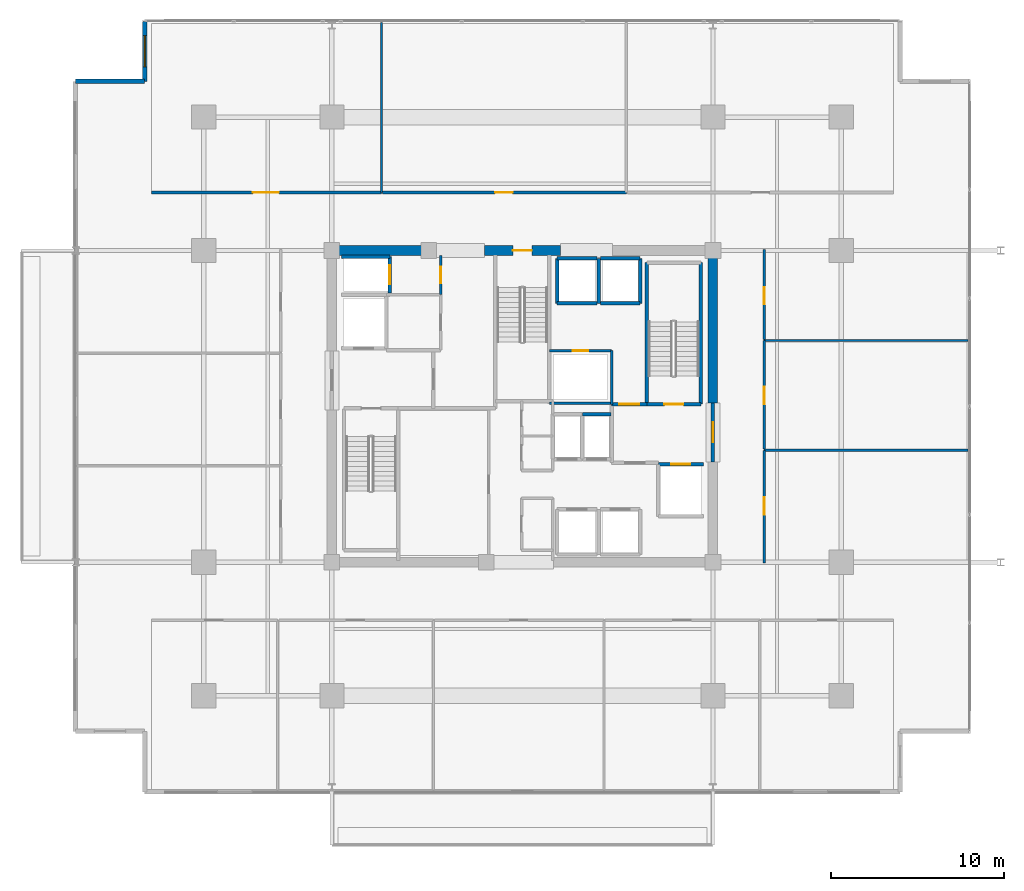
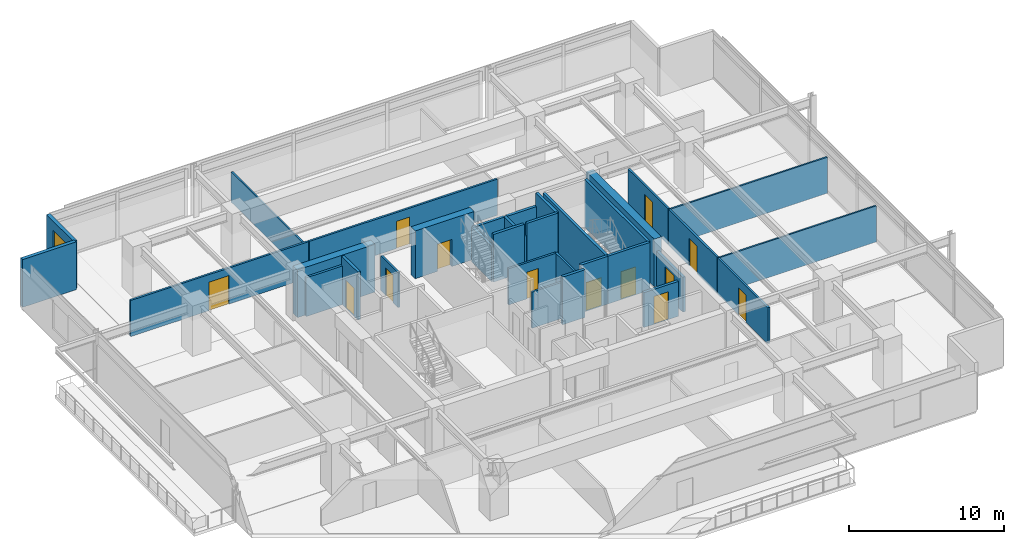
# One storey, part 16 of 22: 33 walls, 13 doors, 1 window, 14 openings.
"""IFC4 building model written with IfcOpenShell, lengths in metres."""

import ifcopenshell
import ifcopenshell.guid

model = None  # the IFC model being written
_history = None  # IfcOwnerHistory: only IFC2X3 demands one
_inside = {}  # id of a spatial element -> (the spatial element, [elements in it])
_under = {}  # id of a project, library or spatial element -> (it, [spatial elements below it])
_declared = {}  # id of a project -> (the project, [libraries it declares])
_typed = {}  # id of a type object -> (the type object, [elements of that type])
_made_of = {}  # id of a material, layer set ... -> (it, [elements and type objects made of it])


def new_model(schema):
    """Start an empty IFC model of exactly this schema.

    Asked for "IFC4X3", IfcOpenShell would pick the latest addendum, in which some entities
    have other attributes; the version numbers below select the first issue.
    IFC2X3 requires an IfcOwnerHistory on every rooted entity: one is made here for all.
    """
    global model, _history
    if schema == "IFC4X3":
        model = ifcopenshell.file(schema_version=(4, 3, 0, 0))
    else:
        model = ifcopenshell.file(schema=schema)
    _inside.clear()
    _under.clear()
    _declared.clear()
    _typed.clear()
    _made_of.clear()
    _history = None
    if model.schema == "IFC2X3":
        org = make("IfcOrganization", Name="unknown")
        user = make(
            "IfcPersonAndOrganization",
            ThePerson=make("IfcPerson", FamilyName="unknown"),
            TheOrganization=org,
        )
        app = make(
            "IfcApplication",
            ApplicationDeveloper=org,
            Version="unknown",
            ApplicationFullName="unknown",
            ApplicationIdentifier="unknown",
        )
        _history = make(
            "IfcOwnerHistory",
            OwningUser=user,
            OwningApplication=app,
            ChangeAction="ADDED",
            CreationDate=0,
        )
    return model


def make(cls, **values):
    """One entity of the class cls with the attributes given. An attribute that is None is left unset."""
    return model.create_entity(
        cls, **{name: value for name, value in values.items() if value is not None}
    )


def rooted(cls, **values):
    """An entity with a GlobalId (a new one), such as an element, a storey or a relation."""
    return make(cls, GlobalId=ifcopenshell.guid.new(), OwnerHistory=_history, **values)


def si_unit(unit_type, name, prefix=None):
    """IfcSIUnit, for example si_unit("LENGTHUNIT", "METRE", prefix="MILLI")."""
    return make("IfcSIUnit", UnitType=unit_type, Prefix=prefix, Name=name)


def assignment(units):
    """IfcUnitAssignment: the units of a project."""
    return None if units is None else make("IfcUnitAssignment", Units=units)


def point(xyz):
    """IfcCartesianPoint."""
    return None if xyz is None else make("IfcCartesianPoint", Coordinates=xyz)


def direction(xyz):
    """IfcDirection."""
    return None if xyz is None else make("IfcDirection", DirectionRatios=xyz)


def frame(location, z_axis=None, x_axis=None):
    """IfcAxis2Placement3D, a coordinate frame: its origin and axes. An axis left out is left unset."""
    return make(
        "IfcAxis2Placement3D",
        Location=point(location),
        Axis=direction(z_axis),
        RefDirection=direction(x_axis),
    )


def frame_2d(location, x_axis=None):
    """IfcAxis2Placement2D, a coordinate frame in the plane: its origin and x axis."""
    return make(
        "IfcAxis2Placement2D", Location=point(location), RefDirection=direction(x_axis)
    )


def origin():
    """The frame at (0, 0, 0) with its axes left unset."""
    return frame((0.0, 0.0, 0.0))


def place(relative_to, where):
    """IfcLocalPlacement: puts the frame where relative to a parent placement (None: the world)."""
    return make(
        "IfcLocalPlacement", PlacementRelTo=relative_to, RelativePlacement=where
    )


def context(
    kind, dimensions, precision=None, world=None, true_north=None, identifier=None
):
    """IfcGeometricRepresentationContext, for example the 3D "Model" context."""
    return make(
        "IfcGeometricRepresentationContext",
        ContextIdentifier=identifier,
        ContextType=kind,
        CoordinateSpaceDimension=dimensions,
        Precision=precision,
        WorldCoordinateSystem=world,
        TrueNorth=true_north,
    )


def subcontext(parent, identifier, kind, view, scale=None):
    """IfcGeometricRepresentationSubContext, for example "Body" below "Model"."""
    return make(
        "IfcGeometricRepresentationSubContext",
        ContextIdentifier=identifier,
        ContextType=kind,
        ParentContext=parent,
        TargetScale=scale,
        TargetView=view,
    )


def project(units=None, contexts=None):
    """IfcProject with its units and contexts."""
    return rooted(
        "IfcProject",
        Name="project",
        RepresentationContexts=contexts,
        UnitsInContext=assignment(units),
    )


def spatial(cls, under=None, at=None, **own):
    """A site, building, storey or space (cls), placed at a placement, below another one or the project."""
    s = rooted(cls, ObjectPlacement=at, **own)
    if under is not None:
        _under.setdefault(under.id(), (under, []))[1].append(s)
    return s


def profile(cls, at=None, kind="AREA", **sizes):
    """A parametric profile (cls). Its sizes go by their IFC names, for example OverallWidth=200.0."""
    return make(cls, ProfileType=kind, Position=at, **sizes)


def rectangle(**sizes):
    """IfcRectangleProfileDef."""
    return profile("IfcRectangleProfileDef", **sizes)


def extrude(swept, where, along, depth):
    """IfcExtrudedAreaSolid: the profile swept, set in the frame where, extruded along a direction by depth."""
    return make(
        "IfcExtrudedAreaSolid",
        SweptArea=swept,
        Position=where,
        ExtrudedDirection=direction(along),
        Depth=depth,
    )


def shape(context_of_items, identifier, shape_type, items):
    """IfcShapeRepresentation: the items that make up one representation, for example the "Body"."""
    return make(
        "IfcShapeRepresentation",
        ContextOfItems=context_of_items,
        RepresentationIdentifier=identifier,
        RepresentationType=shape_type,
        Items=items,
    )


def material(Name=None, Category=None):
    """IfcMaterial."""
    return make("IfcMaterial", Name=Name, Category=Category)


def layer(
    of_material, thickness, ventilated=None, Name=None, Category=None, Priority=None
):
    """IfcMaterialLayer: one layer of a wall or slab, of a material (None: an air gap)."""
    return make(
        "IfcMaterialLayer",
        Material=of_material,
        LayerThickness=thickness,
        IsVentilated=ventilated,
        Name=Name,
        Category=Category,
        Priority=Priority,
    )


def layer_set(layers, Name=None):
    """IfcMaterialLayerSet."""
    return make("IfcMaterialLayerSet", MaterialLayers=layers, LayerSetName=Name)


def made_of(thing, what):
    """Note that an element or type object is made of a material, layer set ...; save() writes the relation."""
    if what is not None:
        _made_of.setdefault(what.id(), (what, []))[1].append(thing)
    return thing


def type_object(cls, material=None, **own):
    """A type object (cls), such as IfcWallType, which elements share."""
    return made_of(rooted(cls, **own), material)


def element(
    cls,
    number,
    at=None,
    inside=None,
    cuts=None,
    type_object=None,
    material=None,
    context=None,
    identifier="Body",
    shape_type=None,
    held_by="IfcProductDefinitionShape",
    body=None,
    shapes=None,
    **own,
):
    """One element of the class cls, such as IfcWall. Its Tag is "e" and its number.

    at: its placement. inside: the storey or other place that contains it. cuts: it is an
    opening in that element (IfcRelVoidsElement). A single representation is given by context,
    identifier, shape_type and body (its items); several are given by shapes. held_by: the class
    of the entity that holds the representations. save() writes the other relations.
    """
    e = rooted(cls, Tag="e%d" % number, ObjectPlacement=at, **own)
    if body is not None:
        shapes = [shape(context, identifier, shape_type, body)]
    if shapes is not None:
        e.Representation = make(held_by, Representations=shapes)
    if inside is not None:
        _inside.setdefault(inside.id(), (inside, []))[1].append(e)
    if cuts is not None:
        rooted(
            "IfcRelVoidsElement", RelatingBuildingElement=cuts, RelatedOpeningElement=e
        )
    if type_object is not None:
        _typed.setdefault(type_object.id(), (type_object, []))[1].append(e)
    return made_of(e, material)


def fill(opening, filler):
    """IfcRelFillsElement: the door or window that sits in an opening."""
    return rooted(
        "IfcRelFillsElement",
        RelatingOpeningElement=opening,
        RelatedBuildingElement=filler,
    )


def aggregate(whole, parts):
    """IfcRelAggregates: a whole, such as a stair, and the parts it consists of."""
    return rooted("IfcRelAggregates", RelatingObject=whole, RelatedObjects=parts)


def save(model, path):
    """Write the relations noted so far, then the file.

    IfcRelAggregates (storeys below a building ...), IfcRelContainedInSpatialStructure (elements
    in a storey), IfcRelDefinesByType, IfcRelAssociatesMaterial and IfcRelDeclares: one each for
    every whole, place, type object, material and project.
    """
    for whole, parts in _under.values():
        aggregate(whole, parts)
    for where, things in _inside.values():
        rooted(
            "IfcRelContainedInSpatialStructure",
            RelatedElements=things,
            RelatingStructure=where,
        )
    for kind, things in _typed.values():
        rooted("IfcRelDefinesByType", RelatedObjects=things, RelatingType=kind)
    for what, things in _made_of.values():
        rooted("IfcRelAssociatesMaterial", RelatedObjects=things, RelatingMaterial=what)
    for by, libraries in _declared.values():
        rooted("IfcRelDeclares", RelatingContext=by, RelatedDefinitions=libraries)
    model.write(path)


model = new_model("IFC4")

# Units and contexts
model_context = context("Model", 3, precision=1e-05, world=origin(), true_north=direction((0.0, 1.0)))
body_context = subcontext(model_context, "Body", "Model", "MODEL_VIEW")
ifc_project = project(units=[si_unit("LENGTHUNIT", "METRE"), si_unit("AREAUNIT", "SQUARE_METRE"), si_unit("VOLUMEUNIT", "CUBIC_METRE"), si_unit("PLANEANGLEUNIT", "RADIAN"), si_unit("MASSUNIT", "GRAM", prefix="KILO")], contexts=[model_context])

# Site, building, storey
site_placement = place(None, origin())
site = spatial("IfcSite", under=ifc_project, at=site_placement, CompositionType="ELEMENT")
building_placement = place(site_placement, origin())
building = spatial("IfcBuilding", under=site, at=building_placement, Name="Kovane Verandah Tower", CompositionType="ELEMENT")
storey_placement = place(building_placement, frame((0.0, 0.0, 225.199951171875)))
storey = spatial("IfcBuildingStorey", under=building, at=storey_placement, Name="L52", CompositionType="ELEMENT", Elevation=225.199951171875)

# Wall, opening, door
ifc_material_1 = material(Name="Fire-Rated Gypsum Stud Partition", Category="gypsum")
ifc_layer_1 = layer(ifc_material_1, 0.14990234375)
ifc_layer_set_1 = layer_set([ifc_layer_1], Name="Fire-Rated Gypsum Stud Partition")
wall_type_1 = type_object("IfcWallType", Name="WL-COR-150", PredefinedType="PARTITIONING", material=ifc_layer_set_1)
wall_1_placement = place(storey_placement, frame((35.280029296875, 33.949951171875, 0.0), z_axis=(0.0, 0.0, 1.0), x_axis=(0.0, 1.0, 0.0)))
wall_1 = element("IfcWall", 1, at=wall_1_placement, inside=storey, type_object=wall_type_1, Name="L52 Goods Lift Lobby East Fire Partition", PredefinedType="PARTITIONING", context=body_context, shape_type="SweptSolid", body=[
    extrude(rectangle(XDim=2.27001953125, YDim=0.14990234375, at=frame_2d((1.135009765625, 0.0))), origin(), (0.0, 0.0, 1.0), 2.755126953125),
])
opening_1_placement = place(wall_1_placement, frame((0.659912109375, 0.0, 0.0)))
opening_1 = element("IfcOpeningElement", 2, at=opening_1_placement, cuts=wall_1, Name="Opening DR-L52-008", PredefinedType="OPENING", context=body_context, shape_type="SweptSolid", body=[
    extrude(rectangle(XDim=0.949951171875, YDim=2.14990234375, at=frame_2d((0.47509765625, 1.074951171875))), frame((0.0, 0.074951171875, 0.0), z_axis=(0.0, -1.0, 0.0), x_axis=(1.0, 0.0, 0.0)), (0.0, 0.0, 1.0), 0.14990234375),
])
ifc_material_2 = material(Name="Fire-Rated Steel Refuge and Lobby Door", Category="steel")
door_type_1 = type_object("IfcDoorType", Name="DR-FIRE-950", OperationType="SINGLE_SWING_LEFT", PredefinedType="DOOR", material=ifc_material_2)
door_1_placement = place(opening_1_placement, origin())
door_1 = element("IfcDoor", 3, at=door_1_placement, inside=storey, type_object=door_type_1, Name="L52 Goods Lift Lobby Fire Door", OperationType="SINGLE_SWING_LEFT", OverallHeight=2.14990234375, OverallWidth=0.949951171875, PredefinedType="DOOR", context=body_context, shape_type="SweptSolid", body=[
    extrude(rectangle(XDim=0.949951171875, YDim=2.14990234375, at=frame_2d((0.47509765625, 1.074951171875))), frame((0.0, 0.02490234375, 0.0), z_axis=(0.0, -1.0, 0.0), x_axis=(1.0, 0.0, 0.0)), (0.0, 0.0, 1.0), 0.050048828125),
])
fill(opening_1, door_1)

# Walls
wall_2_placement = place(storey_placement, frame((41.56005859375, 27.679931640625, 0.0), z_axis=(0.0, 0.0, 1.0), x_axis=(1.0, 0.0, 0.0)))
element("IfcWall", 4, at=wall_2_placement, inside=storey, type_object=wall_type_1, Name="L52 East Core Service Riser South Wall", PredefinedType="PARTITIONING", context=body_context, shape_type="SweptSolid", body=[
    extrude(rectangle(XDim=3.58984375, YDim=0.14990234375, at=frame_2d((1.794921875, 0.0))), origin(), (0.0, 0.0, 1.0), 2.85009765625),
])
wall_3_placement = place(storey_placement, frame((45.14990234375, 27.6201171875, 0.0), z_axis=(0.0, 0.0, 1.0), x_axis=(0.0, 1.0, 0.0)))
element("IfcWall", 5, at=wall_3_placement, inside=storey, type_object=wall_type_1, Name="L52 East Core Service Riser East Wall", PredefinedType="PARTITIONING", context=body_context, shape_type="SweptSolid", body=[
    extrude(rectangle(XDim=3.099853515625, YDim=0.14990234375, at=frame_2d((1.5498046875, 0.0))), origin(), (0.0, 0.0, 1.0), 2.85009765625),
])

# Wall, opening, door
wall_4_placement = place(storey_placement, frame((41.56005859375, 30.719970703125, 0.0), z_axis=(0.0, 0.0, 1.0), x_axis=(1.0, 0.0, 0.0)))
wall_4 = element("IfcWall", 6, at=wall_4_placement, inside=storey, type_object=wall_type_1, Name="L52 Combined Chilled Water and Smoke Duct Room Partition", PredefinedType="PARTITIONING", context=body_context, shape_type="SweptSolid", body=[
    extrude(rectangle(XDim=3.58984375, YDim=0.14990234375, at=frame_2d((1.794921875, 0.0))), origin(), (0.0, 0.0, 1.0), 2.85009765625),
])
opening_2_placement = place(wall_4_placement, frame((1.35498046875, 0.0, 0.0)))
opening_2 = element("IfcOpeningElement", 7, at=opening_2_placement, cuts=wall_4, Name="Opening DR-L52-016", PredefinedType="OPENING", context=body_context, shape_type="SweptSolid", body=[
    extrude(rectangle(XDim=0.8798828125, YDim=2.10009765625, at=frame_2d((0.43994140625, 1.050048828125))), frame((0.0, 0.074951171875, 0.0), z_axis=(0.0, -1.0, 0.0), x_axis=(1.0, 0.0, 0.0)), (0.0, 0.0, 1.0), 0.14990234375),
])
ifc_material_3 = material(Name="Fire-Rated Steel Riser Access Door", Category="steel")
door_type_2 = type_object("IfcDoorType", Name="DR-RISER-880", OperationType="SINGLE_SWING_LEFT", PredefinedType="DOOR", material=ifc_material_3)
door_2_placement = place(opening_2_placement, origin())
door_2 = element("IfcDoor", 8, at=door_2_placement, inside=storey, type_object=door_type_2, Name="L52 Combined Chilled Water and Smoke Duct Room Door", OperationType="SINGLE_SWING_RIGHT", OverallHeight=2.10009765625, OverallWidth=0.8798828125, PredefinedType="DOOR", context=body_context, shape_type="SweptSolid", body=[
    extrude(rectangle(XDim=0.8798828125, YDim=2.10009765625, at=frame_2d((0.43994140625, 1.050048828125))), frame((0.0, 0.02490234375, 0.0), z_axis=(0.0, -1.0, 0.0), x_axis=(1.0, 0.0, 0.0)), (0.0, 0.0, 1.0), 0.050048828125),
])
fill(opening_2, door_2)

wall_5_placement = place(storey_placement, frame((18.59033203125, 39.85009765625, 0.0), z_axis=(0.0, 0.0, 1.0), x_axis=(1.0, 0.0, 0.0)))
wall_5 = element("IfcWall", 9, at=wall_5_placement, inside=storey, type_object=wall_type_1, Name="L52 Client Boardroom N1 Corridor Partition", PredefinedType="PARTITIONING", context=body_context, shape_type="SweptSolid", body=[
    extrude(rectangle(XDim=13.27392578125, YDim=0.14990234375, at=frame_2d((6.636962890625, 0.0))), origin(), (0.0, 0.0, 1.0), 2.85009765625),
])
opening_3_placement = place(wall_5_placement, frame((5.85205078125, 0.0, 0.0)))
opening_3 = element("IfcOpeningElement", 10, at=opening_3_placement, cuts=wall_5, Name="Opening DR-L52-017", PredefinedType="OPENING", context=body_context, shape_type="SweptSolid", body=[
    extrude(rectangle(XDim=1.5, YDim=2.25, at=frame_2d((0.75, 1.125))), frame((0.0, 0.074951171875, 0.0), z_axis=(0.0, -1.0, 0.0), x_axis=(1.0, 0.0, 0.0)), (0.0, 0.0, 1.0), 0.14990234375),
])
ifc_material_4 = material(Name="Glazed Timber Fire-Rated Double Door", Category="wood")
door_type_3 = type_object("IfcDoorType", Name="DR-CONF-1500", OperationType="DOUBLE_DOOR_SINGLE_SWING", PredefinedType="DOOR", material=ifc_material_4)
door_3_placement = place(opening_3_placement, origin())
door_3 = element("IfcDoor", 11, at=door_3_placement, inside=storey, type_object=door_type_3, Name="L52 Client Boardroom N1 Entrance Door", OperationType="DOUBLE_DOOR_SINGLE_SWING", OverallHeight=2.25, OverallWidth=1.5, PredefinedType="DOOR", context=body_context, shape_type="SweptSolid", body=[
    extrude(rectangle(XDim=1.5, YDim=2.25, at=frame_2d((0.75, 1.125))), frame((0.0, 0.02490234375, 0.0), z_axis=(0.0, -1.0, 0.0), x_axis=(1.0, 0.0, 0.0)), (0.0, 0.0, 1.0), 0.050048828125),
])
fill(opening_3, door_3)

wall_6_placement = place(storey_placement, frame((31.934326171875, 39.85009765625, 0.0), z_axis=(0.0, 0.0, 1.0), x_axis=(1.0, 0.0, 0.0)))
wall_6 = element("IfcWall", 12, at=wall_6_placement, inside=storey, type_object=wall_type_1, Name="L52 Meeting Room N2 Corridor Partition", PredefinedType="PARTITIONING", context=body_context, shape_type="SweptSolid", body=[
    extrude(rectangle(XDim=14.060302734375, YDim=0.14990234375, at=frame_2d((7.0302734375, 0.0))), origin(), (0.0, 0.0, 1.0), 2.85009765625),
])
opening_4_placement = place(wall_6_placement, frame((6.4951171875, 0.0, 0.0)))
opening_4 = element("IfcOpeningElement", 13, at=opening_4_placement, cuts=wall_6, Name="Opening DR-L52-018", PredefinedType="OPENING", context=body_context, shape_type="SweptSolid", body=[
    extrude(rectangle(XDim=1.0, YDim=2.14990234375, at=frame_2d((0.5, 1.074951171875))), frame((0.0, 0.074951171875, 0.0), z_axis=(0.0, -1.0, 0.0), x_axis=(1.0, 0.0, 0.0)), (0.0, 0.0, 1.0), 0.14990234375),
])
ifc_material_5 = material(Name="FSC Spotted-Gum Timber Fire-Rated Office Door", Category="wood")
door_type_4 = type_object("IfcDoorType", Name="DR-OFF-1000", OperationType="SINGLE_SWING_LEFT", PredefinedType="DOOR", material=ifc_material_5)
door_4_placement = place(opening_4_placement, origin())
door_4 = element("IfcDoor", 14, at=door_4_placement, inside=storey, type_object=door_type_4, Name="L52 Meeting Room N2 Entrance Door", OperationType="SINGLE_SWING_RIGHT", OverallHeight=2.14990234375, OverallWidth=1.0, PredefinedType="DOOR", context=body_context, shape_type="SweptSolid", body=[
    extrude(rectangle(XDim=1.0, YDim=2.14990234375, at=frame_2d((0.5, 1.074951171875))), frame((0.0, 0.02490234375, 0.0), z_axis=(0.0, -1.0, 0.0), x_axis=(1.0, 0.0, 0.0)), (0.0, 0.0, 1.0), 0.050048828125),
])
fill(opening_4, door_4)

wall_7_placement = place(storey_placement, frame((53.949951171875, 18.449951171875, 0.0), z_axis=(0.0, 0.0, 1.0), x_axis=(0.0, 1.0, 0.0)))
wall_7 = element("IfcWall", 15, at=wall_7_placement, inside=storey, type_object=wall_type_1, Name="L52 Breakout Pantry E1 Corridor Partition", PredefinedType="PARTITIONING", context=body_context, shape_type="SweptSolid", body=[
    extrude(rectangle(XDim=6.51611328125, YDim=0.14990234375, at=frame_2d((3.258056640625, 0.0))), origin(), (0.0, 0.0, 1.0), 2.85009765625),
])
opening_5_placement = place(wall_7_placement, frame((2.798095703125, 0.0, 0.0)))
opening_5 = element("IfcOpeningElement", 16, at=opening_5_placement, cuts=wall_7, Name="Opening DR-L52-012", PredefinedType="OPENING", context=body_context, shape_type="SweptSolid", body=[
    extrude(rectangle(XDim=1.0, YDim=2.14990234375, at=frame_2d((0.5, 1.074951171875))), frame((0.0, 0.074951171875, 0.0), z_axis=(0.0, -1.0, 0.0), x_axis=(1.0, 0.0, 0.0)), (0.0, 0.0, 1.0), 0.14990234375),
])
door_5_placement = place(opening_5_placement, origin())
door_5 = element("IfcDoor", 17, at=door_5_placement, inside=storey, type_object=door_type_4, Name="L52 Breakout Pantry E1 Entrance Door", OperationType="SINGLE_SWING_RIGHT", OverallHeight=2.14990234375, OverallWidth=1.0, PredefinedType="DOOR", context=body_context, shape_type="SweptSolid", body=[
    extrude(rectangle(XDim=1.0, YDim=2.14990234375, at=frame_2d((0.5, 1.074951171875))), frame((0.0, 0.02490234375, 0.0), z_axis=(0.0, -1.0, 0.0), x_axis=(1.0, 0.0, 0.0)), (0.0, 0.0, 1.0), 0.050048828125),
])
fill(opening_5, door_5)

wall_8_placement = place(storey_placement, frame((53.949951171875, 25.035888671875, 0.0), z_axis=(0.0, 0.0, 1.0), x_axis=(0.0, 1.0, 0.0)))
wall_8 = element("IfcWall", 18, at=wall_8_placement, inside=storey, type_object=wall_type_1, Name="L52 Collaboration Hub E2 Corridor Partition", PredefinedType="PARTITIONING", context=body_context, shape_type="SweptSolid", body=[
    extrude(rectangle(XDim=6.26513671875, YDim=0.14990234375, at=frame_2d((3.132568359375, 0.0))), origin(), (0.0, 0.0, 1.0), 2.85009765625),
])
opening_6_placement = place(wall_8_placement, frame((2.597412109375, 0.0, 0.0)))
opening_6 = element("IfcOpeningElement", 19, at=opening_6_placement, cuts=wall_8, Name="Opening DR-L52-013", PredefinedType="OPENING", context=body_context, shape_type="SweptSolid", body=[
    extrude(rectangle(XDim=1.0, YDim=2.14990234375, at=frame_2d((0.5, 1.074951171875))), frame((0.0, 0.074951171875, 0.0), z_axis=(0.0, -1.0, 0.0), x_axis=(1.0, 0.0, 0.0)), (0.0, 0.0, 1.0), 0.14990234375),
])
door_6_placement = place(opening_6_placement, origin())
door_6 = element("IfcDoor", 20, at=door_6_placement, inside=storey, type_object=door_type_4, Name="L52 Collaboration Hub E2 Entrance Door", OperationType="SINGLE_SWING_LEFT", OverallHeight=2.14990234375, OverallWidth=1.0, PredefinedType="DOOR", context=body_context, shape_type="SweptSolid", body=[
    extrude(rectangle(XDim=1.0, YDim=2.14990234375, at=frame_2d((0.5, 1.074951171875))), frame((0.0, 0.02490234375, 0.0), z_axis=(0.0, -1.0, 0.0), x_axis=(1.0, 0.0, 0.0)), (0.0, 0.0, 1.0), 0.050048828125),
])
fill(opening_6, door_6)

wall_9_placement = place(storey_placement, frame((53.949951171875, 31.37109375, 0.0), z_axis=(0.0, 0.0, 1.0), x_axis=(0.0, 1.0, 0.0)))
wall_9 = element("IfcWall", 21, at=wall_9_placement, inside=storey, type_object=wall_type_1, Name="L52 Document and Print Room E3 Corridor Partition", PredefinedType="PARTITIONING", context=body_context, shape_type="SweptSolid", body=[
    extrude(rectangle(XDim=5.178955078125, YDim=0.14990234375, at=frame_2d((2.58935546875, 0.0))), origin(), (0.0, 0.0, 1.0), 2.85009765625),
])
opening_7_placement = place(wall_9_placement, frame((2.014404296875, 0.0, 0.0)))
opening_7 = element("IfcOpeningElement", 22, at=opening_7_placement, cuts=wall_9, Name="Opening DR-L52-014", PredefinedType="OPENING", context=body_context, shape_type="SweptSolid", body=[
    extrude(rectangle(XDim=1.0, YDim=2.14990234375, at=frame_2d((0.5, 1.074951171875))), frame((0.0, 0.074951171875, 0.0), z_axis=(0.0, -1.0, 0.0), x_axis=(1.0, 0.0, 0.0)), (0.0, 0.0, 1.0), 0.14990234375),
])
door_7_placement = place(opening_7_placement, origin())
door_7 = element("IfcDoor", 23, at=door_7_placement, inside=storey, type_object=door_type_4, Name="L52 Document and Print Room E3 Entrance Door", OperationType="SINGLE_SWING_RIGHT", OverallHeight=2.14990234375, OverallWidth=1.0, PredefinedType="DOOR", context=body_context, shape_type="SweptSolid", body=[
    extrude(rectangle(XDim=1.0, YDim=2.14990234375, at=frame_2d((0.5, 1.074951171875))), frame((0.0, 0.02490234375, 0.0), z_axis=(0.0, -1.0, 0.0), x_axis=(1.0, 0.0, 0.0)), (0.0, 0.0, 1.0), 0.050048828125),
])
fill(opening_7, door_7)

# Wall
ifc_material_6 = material(Name="Concrete C60/75", Category="concrete")
ifc_layer_2 = layer(ifc_material_6, 0.550048828125)
ifc_layer_set_2 = layer_set([ifc_layer_2], Name="Concrete C60/75")
wall_type_2 = type_object("IfcWallType", Name="WL-CORE-550", PredefinedType="SHEAR", material=ifc_layer_set_2)
wall_10_placement = place(storey_placement, frame((29.0, 36.5, 0.0), z_axis=(0.0, 0.0, 1.0), x_axis=(1.0, 0.0, 0.0)))
element("IfcWall", 24, at=wall_10_placement, inside=storey, type_object=wall_type_2, Name="L52 Core Shear Wall CN-1", PredefinedType="SHEAR", context=body_context, shape_type="SweptSolid", body=[
    extrude(rectangle(XDim=5.800048828125, YDim=0.550048828125, at=frame_2d((2.89990234375, 0.0))), origin(), (0.0, 0.0, 1.0), 3.775146484375),
])

# Wall, opening, door
wall_11_placement = place(storey_placement, frame((37.800048828125, 36.5, 0.0), z_axis=(0.0, 0.0, 1.0), x_axis=(1.0, 0.0, 0.0)))
wall_11 = element("IfcWall", 25, at=wall_11_placement, inside=storey, type_object=wall_type_2, Name="L52 Core Shear Wall CN-2", PredefinedType="SHEAR", context=body_context, shape_type="SweptSolid", body=[
    extrude(rectangle(XDim=4.39990234375, YDim=0.550048828125, at=frame_2d((2.199951171875, 0.0))), origin(), (0.0, 0.0, 1.0), 3.775146484375),
])
opening_8_placement = place(wall_11_placement, frame((1.64990234375, 0.0, 0.0)))
opening_8 = element("IfcOpeningElement", 26, at=opening_8_placement, cuts=wall_11, Name="Opening DR-L52-011", PredefinedType="OPENING", context=body_context, shape_type="SweptSolid", body=[
    extrude(rectangle(XDim=1.10009765625, YDim=2.14990234375, at=frame_2d((0.550048828125, 1.074951171875))), frame((0.0, 0.27490234375, 0.0), z_axis=(0.0, -1.0, 0.0), x_axis=(1.0, 0.0, 0.0)), (0.0, 0.0, 1.0), 0.550048828125),
])
ifc_material_7 = material(Name="Fire-Rated Steel Exit Door", Category="steel")
door_type_5 = type_object("IfcDoorType", Name="DR-STAIR-1100", OperationType="SINGLE_SWING_LEFT", PredefinedType="DOOR", material=ifc_material_7)
door_8_placement = place(opening_8_placement, origin())
door_8 = element("IfcDoor", 27, at=door_8_placement, inside=storey, type_object=door_type_5, Name="L52 ST-03 Fire Exit Stair Door", OperationType="SINGLE_SWING_LEFT", OverallHeight=2.14990234375, OverallWidth=1.10009765625, PredefinedType="DOOR", context=body_context, shape_type="SweptSolid", body=[
    extrude(rectangle(XDim=1.10009765625, YDim=2.14990234375, at=frame_2d((0.550048828125, 1.074951171875))), frame((0.0, 0.02490234375, 0.0), z_axis=(0.0, -1.0, 0.0), x_axis=(1.0, 0.0, 0.0)), (0.0, 0.0, 1.0), 0.050048828125),
])
fill(opening_8, door_8)

# Wall
wall_12_placement = place(storey_placement, frame((51.0, 27.699951171875, 0.0), z_axis=(0.0, 0.0, 1.0), x_axis=(0.0, 1.0, 0.0)))
element("IfcWall", 28, at=wall_12_placement, inside=storey, type_object=wall_type_2, Name="L52 Core Shear Wall CE-2", PredefinedType="SHEAR", context=body_context, shape_type="SweptSolid", body=[
    extrude(rectangle(XDim=8.800048828125, YDim=0.550048828125, at=frame_2d((4.39990234375, 0.0))), origin(), (0.0, 0.0, 1.0), 3.775146484375),
])

# Wall, opening, door
ifc_material_8 = material(Name="Concrete C45/55 Fire Wall", Category="concrete")
ifc_layer_3 = layer(ifc_material_8, 0.199951171875)
ifc_layer_set_3 = layer_set([ifc_layer_3], Name="Concrete C45/55 Fire Wall")
wall_type_3 = type_object("IfcWallType", Name="WL-FFL-200", PredefinedType="PARTITIONING", material=ifc_layer_set_3)
wall_13_placement = place(storey_placement, frame((45.14990234375, 27.6201171875, 0.0), z_axis=(0.0, 0.0, 1.0), x_axis=(1.0, 0.0, 0.0)))
wall_13 = element("IfcWall", 29, at=wall_13_placement, inside=storey, type_object=wall_type_3, Name="W-L52-FFLE-N", PredefinedType="PARTITIONING", context=body_context, shape_type="SweptSolid", body=[
    extrude(rectangle(XDim=2.030029296875, YDim=0.199951171875, at=frame_2d((1.01513671875, 0.0))), origin(), (0.0, 0.0, 1.0), 3.775146484375),
])
opening_9_placement = place(wall_13_placement, frame((0.43994140625, 0.0, 0.0)))
opening_9 = element("IfcOpeningElement", 30, at=opening_9_placement, cuts=wall_13, Name="Opening DR-L52-004", PredefinedType="OPENING", context=body_context, shape_type="SweptSolid", body=[
    extrude(rectangle(XDim=1.14990234375, YDim=2.199951171875, at=frame_2d((0.574951171875, 1.10009765625))), frame((0.0, 0.10009765625, 0.0), z_axis=(0.0, -1.0, 0.0), x_axis=(1.0, 0.0, 0.0)), (0.0, 0.0, 1.0), 0.199951171875),
])
ifc_material_9 = material(Name="Smoke-Sealed Firefighting Lobby Door", Category="steel")
door_type_6 = type_object("IfcDoorType", Name="DR-FFL-1150", OperationType="SINGLE_SWING_LEFT", PredefinedType="DOOR", material=ifc_material_9)
door_9_placement = place(opening_9_placement, origin())
door_9 = element("IfcDoor", 31, at=door_9_placement, inside=storey, type_object=door_type_6, Name="L52 East Firefighting Lobby Shuttle Link Door", OperationType="SINGLE_SWING_LEFT", OverallHeight=2.199951171875, OverallWidth=1.14990234375, PredefinedType="DOOR", context=body_context, shape_type="SweptSolid", body=[
    extrude(rectangle(XDim=1.14990234375, YDim=2.199951171875, at=frame_2d((0.574951171875, 1.10009765625))), frame((0.0, 0.02490234375, 0.0), z_axis=(0.0, -1.0, 0.0), x_axis=(1.0, 0.0, 0.0)), (0.0, 0.0, 1.0), 0.050048828125),
])
fill(opening_9, door_9)

wall_14_placement = place(storey_placement, frame((51.0, 24.300048828125, 0.0), z_axis=(0.0, 0.0, 1.0), x_axis=(0.0, 1.0, 0.0)))
wall_14 = element("IfcWall", 32, at=wall_14_placement, inside=storey, type_object=wall_type_3, Name="W-L52-FFLE-OUT", PredefinedType="PARTITIONING", context=body_context, shape_type="SweptSolid", body=[
    extrude(rectangle(XDim=3.39990234375, YDim=0.199951171875, at=frame_2d((1.699951171875, 0.0))), origin(), (0.0, 0.0, 1.0), 2.755126953125),
])
opening_10_placement = place(wall_14_placement, frame((1.125, 0.0, 0.0)))
opening_10 = element("IfcOpeningElement", 33, at=opening_10_placement, cuts=wall_14, Name="Opening DR-L52-005", PredefinedType="OPENING", context=body_context, shape_type="SweptSolid", body=[
    extrude(rectangle(XDim=1.14990234375, YDim=2.199951171875, at=frame_2d((0.574951171875, 1.10009765625))), frame((0.0, 0.10009765625, 0.0), z_axis=(0.0, -1.0, 0.0), x_axis=(1.0, 0.0, 0.0)), (0.0, 0.0, 1.0), 0.199951171875),
])
door_10_placement = place(opening_10_placement, origin())
door_10 = element("IfcDoor", 34, at=door_10_placement, inside=storey, type_object=door_type_6, Name="L52 East Firefighting Lobby Corridor Door", OperationType="SINGLE_SWING_LEFT", OverallHeight=2.199951171875, OverallWidth=1.14990234375, PredefinedType="DOOR", context=body_context, shape_type="SweptSolid", body=[
    extrude(rectangle(XDim=1.14990234375, YDim=2.199951171875, at=frame_2d((0.574951171875, 1.10009765625))), frame((0.0, 0.02490234375, 0.0), z_axis=(0.0, -1.0, 0.0), x_axis=(1.0, 0.0, 0.0)), (0.0, 0.0, 1.0), 0.050048828125),
])
fill(opening_10, door_10)

ifc_material_10 = material(Name="Concrete C45/55 Lift Shaft Wall", Category="concrete")
ifc_layer_4 = layer(ifc_material_10, 0.199951171875)
ifc_layer_set_4 = layer_set([ifc_layer_4], Name="Concrete C45/55 Lift Shaft Wall")
wall_type_4 = type_object("IfcWallType", Name="WL-LIFT-200", PredefinedType="SOLIDWALL", material=ifc_layer_set_4)
wall_15_placement = place(storey_placement, frame((50.449951171875, 24.14990234375, 0.0), z_axis=(0.0, 0.0, 1.0), x_axis=(-1.0, 0.0, 0.0)))
wall_15 = element("IfcWall", 35, at=wall_15_placement, inside=storey, type_object=wall_type_4, Name="L52 Lift FL-02 N Shaft Wall", PredefinedType="SOLIDWALL", context=body_context, shape_type="SweptSolid", body=[
    extrude(rectangle(XDim=2.599853515625, YDim=0.199951171875, at=frame_2d((1.2998046875, 0.0))), origin(), (0.0, 0.0, 1.0), 2.755126953125),
])
opening_11_placement = place(wall_15_placement, frame((0.75, 0.0, 0.0)))
opening_11 = element("IfcOpeningElement", 36, at=opening_11_placement, cuts=wall_15, Name="Opening LD-L52-002", PredefinedType="OPENING", context=body_context, shape_type="SweptSolid", body=[
    extrude(rectangle(XDim=1.10009765625, YDim=2.199951171875, at=frame_2d((0.550048828125, 1.10009765625))), frame((0.0, 0.10009765625, 0.0), z_axis=(0.0, -1.0, 0.0), x_axis=(1.0, 0.0, 0.0)), (0.0, 0.0, 1.0), 0.199951171875),
])
ifc_material_11 = material(Name="Brushed Stainless Steel Sliding Lift Landing Door", Category="steel")
door_type_7 = type_object("IfcDoorType", Name="DR-LIFT-1100", OperationType="SLIDING_TO_RIGHT", PredefinedType="DOOR", material=ifc_material_11)
door_11_placement = place(opening_11_placement, origin())
door_11 = element("IfcDoor", 37, at=door_11_placement, inside=storey, type_object=door_type_7, Name="L52 Lift FL-02 Sliding Landing Door", OperationType="SLIDING_TO_RIGHT", OverallHeight=2.199951171875, OverallWidth=1.10009765625, PredefinedType="DOOR", context=body_context, shape_type="SweptSolid", body=[
    extrude(rectangle(XDim=1.10009765625, YDim=2.199951171875, at=frame_2d((0.550048828125, 1.10009765625))), frame((0.0, 0.02490234375, 0.0), z_axis=(0.0, -1.0, 0.0), x_axis=(1.0, 0.0, 0.0)), (0.0, 0.0, 1.0), 0.050048828125),
])
fill(opening_11, door_11)

# Wall
wall_16_placement = place(storey_placement, frame((32.35009765625, 36.14990234375, 0.0), z_axis=(0.0, 0.0, 1.0), x_axis=(-1.0, 0.0, 0.0)))
element("IfcWall", 38, at=wall_16_placement, inside=storey, type_object=wall_type_4, Name="L52 Lift GL-01 N Shaft Wall", PredefinedType="SOLIDWALL", context=body_context, shape_type="SweptSolid", body=[
    extrude(rectangle(XDim=2.800048828125, YDim=0.199951171875, at=frame_2d((1.39990234375, 0.0))), origin(), (0.0, 0.0, 1.0), 3.06201171875),
])

# Wall, opening, door
wall_17_placement = place(storey_placement, frame((32.35009765625, 34.050048828125, 0.0), z_axis=(0.0, 0.0, 1.0), x_axis=(0.0, 1.0, 0.0)))
wall_17 = element("IfcWall", 39, at=wall_17_placement, inside=storey, type_object=wall_type_4, Name="L52 Lift GL-01 E Shaft Wall", PredefinedType="SOLIDWALL", context=body_context, shape_type="SweptSolid", body=[
    extrude(rectangle(XDim=2.099853515625, YDim=0.199951171875, at=frame_2d((1.0498046875, 0.0))), origin(), (0.0, 0.0, 1.0), 3.775146484375),
])
opening_12_placement = place(wall_17_placement, frame((0.5, 0.0, 0.0)))
opening_12 = element("IfcOpeningElement", 40, at=opening_12_placement, cuts=wall_17, Name="Opening LD-L52-003", PredefinedType="OPENING", context=body_context, shape_type="SweptSolid", body=[
    extrude(rectangle(XDim=1.10009765625, YDim=2.199951171875, at=frame_2d((0.550048828125, 1.10009765625))), frame((0.0, 0.10009765625, 0.0), z_axis=(0.0, -1.0, 0.0), x_axis=(1.0, 0.0, 0.0)), (0.0, 0.0, 1.0), 0.199951171875),
])
door_12_placement = place(opening_12_placement, origin())
door_12 = element("IfcDoor", 41, at=door_12_placement, inside=storey, type_object=door_type_7, Name="L52 Lift GL-01 Sliding Landing Door", OperationType="SLIDING_TO_RIGHT", OverallHeight=2.199951171875, OverallWidth=1.10009765625, PredefinedType="DOOR", context=body_context, shape_type="SweptSolid", body=[
    extrude(rectangle(XDim=1.10009765625, YDim=2.199951171875, at=frame_2d((0.550048828125, 1.10009765625))), frame((0.0, 0.02490234375, 0.0), z_axis=(0.0, -1.0, 0.0), x_axis=(1.0, 0.0, 0.0)), (0.0, 0.0, 1.0), 0.050048828125),
])
fill(opening_12, door_12)

# Walls
wall_18_placement = place(storey_placement, frame((45.1201171875, 27.050048828125, 0.0), z_axis=(0.0, 0.0, 1.0), x_axis=(-1.0, 0.0, 0.0)))
element("IfcWall", 42, at=wall_18_placement, inside=storey, type_object=wall_type_4, Name="L52 Lift PL-M4 N Shaft Wall", PredefinedType="SOLIDWALL", context=body_context, shape_type="SweptSolid", body=[
    extrude(rectangle(XDim=1.66015625, YDim=0.199951171875, at=frame_2d((0.830078125, 0.0))), origin(), (0.0, 0.0, 1.0), 3.775146484375),
])
wall_19_placement = place(storey_placement, frame((42.0, 33.449951171875, 0.0), z_axis=(0.0, 0.0, 1.0), x_axis=(1.0, 0.0, 0.0)))
element("IfcWall", 43, at=wall_19_placement, inside=storey, type_object=wall_type_4, Name="L52 Lift SL-01 S Shaft Wall", PredefinedType="SOLIDWALL", context=body_context, shape_type="SweptSolid", body=[
    extrude(rectangle(XDim=2.300048828125, YDim=0.199951171875, at=frame_2d((1.14990234375, 0.0))), origin(), (0.0, 0.0, 1.0), 3.775146484375),
])
wall_20_placement = place(storey_placement, frame((44.300048828125, 36.050048828125, 0.0), z_axis=(0.0, 0.0, 1.0), x_axis=(-1.0, 0.0, 0.0)))
element("IfcWall", 44, at=wall_20_placement, inside=storey, type_object=wall_type_4, Name="L52 Lift SL-01 N Shaft Wall", PredefinedType="SOLIDWALL", context=body_context, shape_type="SweptSolid", body=[
    extrude(rectangle(XDim=2.300048828125, YDim=0.199951171875, at=frame_2d((1.14990234375, 0.0))), origin(), (0.0, 0.0, 1.0), 2.755126953125),
])
for number, where, z_axis, x_axis, name in (
    (45, (42.0, 36.050048828125, 0.0), (0.0, 0.0, 1.0), (0.0, -1.0, 0.0), "L52 Lift SL-01 W Shaft Wall"),
    (46, (44.39990234375, 33.449951171875, 0.0), (0.0, 0.0, 1.0), (0.0, 1.0, 0.0), "L52 Lift OL-01 and SL-01 Shared Shaft Wall"),
):
    element("IfcWall", number, at=place(storey_placement, frame(where, z_axis=z_axis, x_axis=x_axis)), inside=storey, type_object=wall_type_4, Name=name, PredefinedType="SOLIDWALL", context=body_context, shape_type="SweptSolid", body=[
        extrude(rectangle(XDim=2.60009765625, YDim=0.199951171875, at=frame_2d((1.300048828125, 0.0))), origin(), (0.0, 0.0, 1.0), 2.755126953125),
    ])
wall_21_placement = place(storey_placement, frame((44.5, 33.449951171875, 0.0), z_axis=(0.0, 0.0, 1.0), x_axis=(1.0, 0.0, 0.0)))
element("IfcWall", 47, at=wall_21_placement, inside=storey, type_object=wall_type_4, Name="L52 Lift OL-01 S Shaft Wall", PredefinedType="SOLIDWALL", context=body_context, shape_type="SweptSolid", body=[
    extrude(rectangle(XDim=2.300048828125, YDim=0.199951171875, at=frame_2d((1.14990234375, 0.0))), origin(), (0.0, 0.0, 1.0), 3.775146484375),
])
wall_22_placement = place(storey_placement, frame((46.800048828125, 36.050048828125, 0.0), z_axis=(0.0, 0.0, 1.0), x_axis=(-1.0, 0.0, 0.0)))
element("IfcWall", 48, at=wall_22_placement, inside=storey, type_object=wall_type_4, Name="L52 Lift OL-01 N Shaft Wall", PredefinedType="SOLIDWALL", context=body_context, shape_type="SweptSolid", body=[
    extrude(rectangle(XDim=2.300048828125, YDim=0.199951171875, at=frame_2d((1.14990234375, 0.0))), origin(), (0.0, 0.0, 1.0), 2.755126953125),
])
wall_23_placement = place(storey_placement, frame((46.800048828125, 33.449951171875, 0.0), z_axis=(0.0, 0.0, 1.0), x_axis=(0.0, 1.0, 0.0)))
element("IfcWall", 49, at=wall_23_placement, inside=storey, type_object=wall_type_4, Name="L52 Lift OL-01 E Shaft Wall", PredefinedType="SOLIDWALL", context=body_context, shape_type="SweptSolid", body=[
    extrude(rectangle(XDim=2.60009765625, YDim=0.199951171875, at=frame_2d((1.300048828125, 0.0))), origin(), (0.0, 0.0, 1.0), 3.775146484375),
])
ifc_material_12 = material(Name="Acoustic Fire-Rated Gypsum Partition", Category="gypsum")
ifc_layer_5 = layer(ifc_material_12, 0.1201171875)
ifc_layer_set_5 = layer_set([ifc_layer_5], Name="Acoustic Fire-Rated Gypsum Partition")
wall_type_5 = type_object("IfcWallType", Name="WL-PART-120", PredefinedType="PARTITIONING", material=ifc_layer_set_5)
wall_24_placement = place(storey_placement, frame((31.8642578125, 39.85009765625, 0.0), z_axis=(0.0, 0.0, 1.0), x_axis=(0.0, 1.0, 0.0)))
element("IfcWall", 50, at=wall_24_placement, inside=storey, type_object=wall_type_5, Name="L52 Client Boardroom N1 Dividing Partition", PredefinedType="PARTITIONING", context=body_context, shape_type="SweptSolid", body=[
    extrude(rectangle(XDim=9.80615234375, YDim=0.1201171875, at=frame_2d((4.903076171875, 0.0))), origin(), (0.0, 0.0, 1.0), 2.405029296875),
])
for number, where, z_axis, x_axis, name in (
    (51, (53.949951171875, 24.966064453125, 0.0), (0.0, 0.0, 1.0), (1.0, 0.0, 0.0), "L52 Breakout Pantry E1 Dividing Partition"),
    (52, (53.949951171875, 31.301025390625, 0.0), (0.0, 0.0, 1.0), (1.0, 0.0, 0.0), "L52 Collaboration Hub E2 Dividing Partition"),
):
    element("IfcWall", number, at=place(storey_placement, frame(where, z_axis=z_axis, x_axis=x_axis)), inside=storey, type_object=wall_type_5, Name=name, PredefinedType="PARTITIONING", context=body_context, shape_type="SweptSolid", body=[
        extrude(rectangle(XDim=11.759765625, YDim=0.1201171875, at=frame_2d((5.8798828125, 0.0))), origin(), (0.0, 0.0, 1.0), 2.85009765625),
    ])
ifc_material_13 = material(Name="Concrete C45/55", Category="concrete")
ifc_layer_6 = layer(ifc_material_13, 0.199951171875)
ifc_layer_set_6 = layer_set([ifc_layer_6], Name="Concrete C45/55")
wall_type_6 = type_object("IfcWallType", Name="WL-SHAFT-200", PredefinedType="SOLIDWALL", material=ifc_layer_set_6)
wall_25_placement = place(storey_placement, frame((50.300048828125, 27.64990234375, 0.0), z_axis=(0.0, 0.0, 1.0), x_axis=(0.0, 1.0, 0.0)))
element("IfcWall", 53, at=wall_25_placement, inside=storey, type_object=wall_type_6, Name="W-L52-ST02-E", PredefinedType="SOLIDWALL", context=body_context, shape_type="SweptSolid", body=[
    extrude(rectangle(XDim=8.150146484375, YDim=0.199951171875, at=frame_2d((4.0751953125, 0.0))), origin(), (0.0, 0.0, 1.0), 3.775146484375),
])
wall_26_placement = place(storey_placement, frame((47.179931640625, 27.6201171875, 0.0), z_axis=(0.0, 0.0, 1.0), x_axis=(0.0, 1.0, 0.0)))
element("IfcWall", 54, at=wall_26_placement, inside=storey, type_object=wall_type_6, Name="W-L52-ST02-W", PredefinedType="SOLIDWALL", context=body_context, shape_type="SweptSolid", body=[
    extrude(rectangle(XDim=8.179931640625, YDim=0.199951171875, at=frame_2d((4.08984375, 0.0))), origin(), (0.0, 0.0, 1.0), 3.775146484375),
])

# Wall, opening, door
wall_27_placement = place(storey_placement, frame((47.179931640625, 27.6201171875, 0.0), z_axis=(0.0, 0.0, 1.0), x_axis=(1.0, 0.0, 0.0)))
wall_27 = element("IfcWall", 55, at=wall_27_placement, inside=storey, type_object=wall_type_6, Name="W-L52-ST02-S", PredefinedType="SOLIDWALL", context=body_context, shape_type="SweptSolid", body=[
    extrude(rectangle(XDim=3.1201171875, YDim=0.199951171875, at=frame_2d((1.56005859375, 0.0))), origin(), (0.0, 0.0, 1.0), 3.775146484375),
])
opening_13_placement = place(wall_27_placement, frame((1.010009765625, 0.0, 0.0)))
opening_13 = element("IfcOpeningElement", 56, at=opening_13_placement, cuts=wall_27, Name="Opening DR-L52-010", PredefinedType="OPENING", context=body_context, shape_type="SweptSolid", body=[
    extrude(rectangle(XDim=1.10009765625, YDim=2.14990234375, at=frame_2d((0.550048828125, 1.074951171875))), frame((0.0, 0.10009765625, 0.0), z_axis=(0.0, -1.0, 0.0), x_axis=(1.0, 0.0, 0.0)), (0.0, 0.0, 1.0), 0.199951171875),
])
door_13_placement = place(opening_13_placement, origin())
door_13 = element("IfcDoor", 57, at=door_13_placement, inside=storey, type_object=door_type_5, Name="L52 ST-02 Fire Exit Stair Door", OperationType="SINGLE_SWING_RIGHT", OverallHeight=2.14990234375, OverallWidth=1.10009765625, PredefinedType="DOOR", context=body_context, shape_type="SweptSolid", body=[
    extrude(rectangle(XDim=1.10009765625, YDim=2.14990234375, at=frame_2d((0.550048828125, 1.074951171875))), frame((0.0, 0.02490234375, 0.0), z_axis=(0.0, -1.0, 0.0), x_axis=(1.0, 0.0, 0.0)), (0.0, 0.0, 1.0), 0.050048828125),
])
fill(opening_13, door_13)

# Wall, opening, window
ifc_material_14 = material(Name="Concrete C45/55 Insulated Spandrel Wall", Category="concrete")
ifc_layer_7 = layer(ifc_material_14, 0.260009765625)
ifc_layer_set_7 = layer_set([ifc_layer_7], Name="Concrete C45/55 Insulated Spandrel Wall")
wall_type_7 = type_object("IfcWallType", Name="WL-SPANDREL-260", PredefinedType="PARAPET", material=ifc_layer_set_7)
wall_28_placement = place(storey_placement, frame((18.190185546875, 49.75634765625, 0.0), z_axis=(0.0, 0.0, 1.0), x_axis=(0.0, -1.0, 0.0)))
wall_28 = element("IfcWall", 58, at=wall_28_placement, inside=storey, type_object=wall_type_7, Name="L52 NW Notch Cheek Wall 1", PredefinedType="PARAPET", context=body_context, shape_type="SweptSolid", body=[
    extrude(rectangle(XDim=3.5, YDim=0.260009765625, at=frame_2d((1.75, 0.0))), origin(), (0.0, 0.0, 1.0), 3.775146484375),
])
opening_14_placement = place(wall_28_placement, frame((0.85009765625, 0.0, 0.85009765625)))
opening_14 = element("IfcOpeningElement", 59, at=opening_14_placement, cuts=wall_28, Name="Opening W-03", PredefinedType="OPENING", context=body_context, shape_type="SweptSolid", body=[
    extrude(rectangle(XDim=1.800048828125, YDim=2.199951171875, at=frame_2d((0.89990234375, 1.10009765625))), frame((0.0, 0.1298828125, 0.0), z_axis=(0.0, -1.0, 0.0), x_axis=(1.0, 0.0, 0.0)), (0.0, 0.0, 1.0), 0.260009765625),
])
ifc_material_15 = material(Name="Clear Low-E Laminated Double Glazing in Anodised Frame", Category="glass")
window_type = type_object("IfcWindowType", Name="WN-NOTCH-1800x2200", PartitioningType="SINGLE_PANEL", PredefinedType="WINDOW", material=ifc_material_15)
window_placement = place(opening_14_placement, origin())
window = element("IfcWindow", 60, at=window_placement, inside=storey, type_object=window_type, Name="L52 NW Re-Entrant Corner Operable Window", OverallHeight=2.199951171875, OverallWidth=1.800048828125, PartitioningType="SINGLE_PANEL", PredefinedType="WINDOW", context=body_context, shape_type="SweptSolid", body=[
    extrude(rectangle(XDim=1.800048828125, YDim=2.199951171875, at=frame_2d((0.89990234375, 1.10009765625))), frame((0.0, 0.030029296875, 0.0), z_axis=(0.0, -1.0, 0.0), x_axis=(1.0, 0.0, 0.0)), (0.0, 0.0, 1.0), 0.06005859375),
])
fill(opening_14, window)

# Wall
wall_29_placement = place(storey_placement, frame((18.190185546875, 46.25634765625, 0.0), z_axis=(0.0, 0.0, 1.0), x_axis=(-1.0, 0.0, 0.0)))
element("IfcWall", 61, at=wall_29_placement, inside=storey, type_object=wall_type_7, Name="L52 NW Notch Cheek Wall 2", PredefinedType="PARAPET", context=body_context, shape_type="SweptSolid", body=[
    extrude(rectangle(XDim=4.0, YDim=0.260009765625, at=frame_2d((2.0, 0.0))), origin(), (0.0, 0.0, 1.0), 3.775146484375),
])

save(model, "model.ifc")
